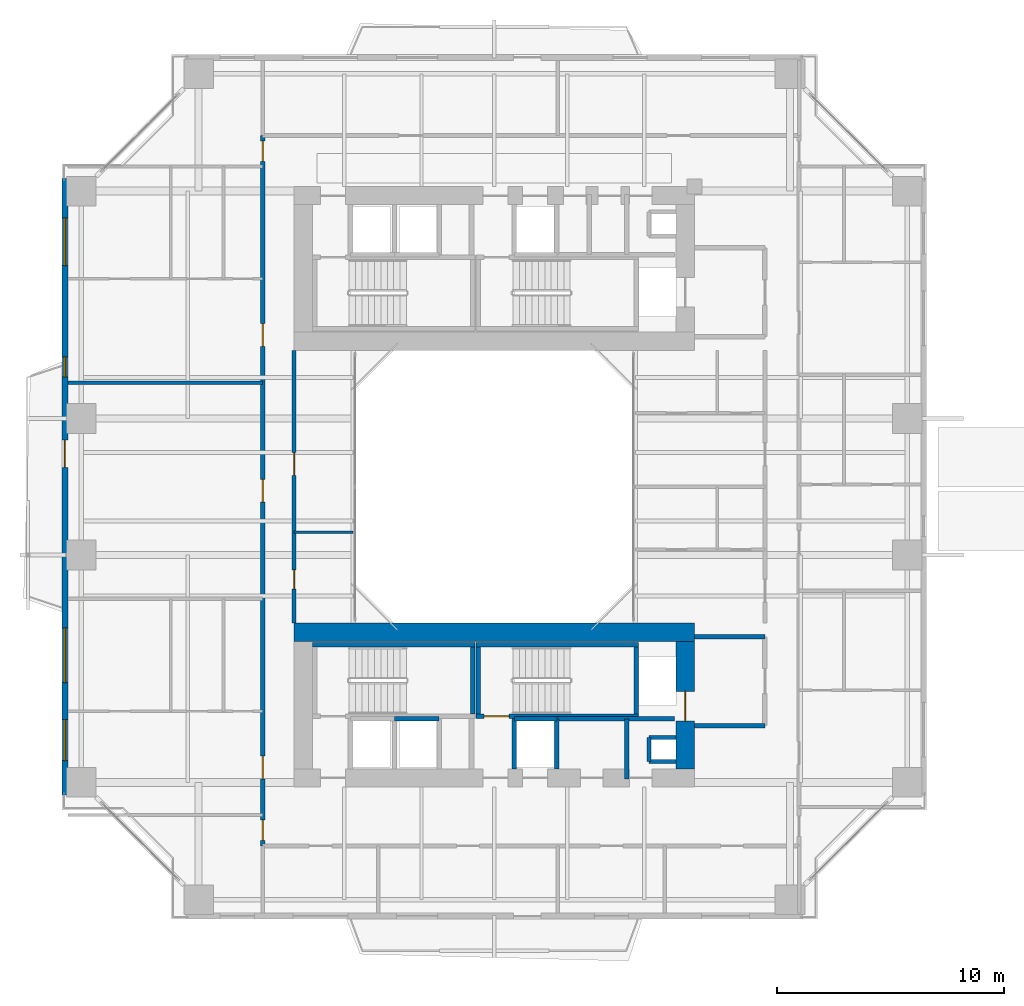
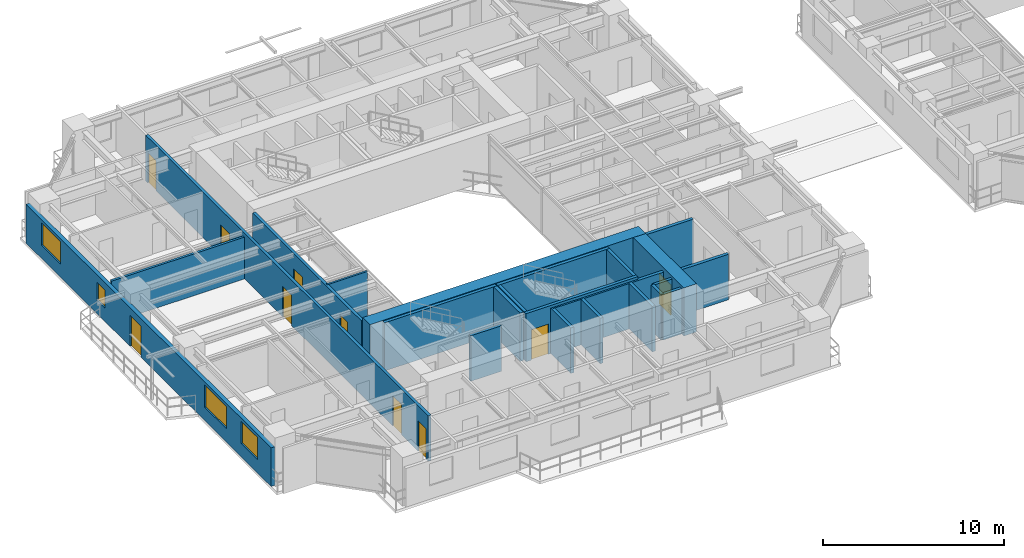
# One storey, part 12 of 23: 24 walls, 10 doors, 4 windows, 14 openings.
"""IFC4 building model written with IfcOpenShell, lengths in metres."""

from ifc_helpers import new_model, si_unit, direction, frame, frame_2d, origin, place, context, subcontext, project, spatial, rectangle, extrude, source, transform, mapped, material, layer, layer_set, type_object, element, fill, save


model = new_model("IFC4")

# Units and contexts
model_context = context("Model", 3, precision=1e-05, world=origin(), true_north=direction((0.0, 1.0)))
body_context = subcontext(model_context, "Body", "Model", "MODEL_VIEW")
ifc_project = project(units=[si_unit("LENGTHUNIT", "METRE"), si_unit("AREAUNIT", "SQUARE_METRE"), si_unit("VOLUMEUNIT", "CUBIC_METRE"), si_unit("PLANEANGLEUNIT", "RADIAN"), si_unit("MASSUNIT", "GRAM", prefix="KILO"), si_unit("THERMODYNAMICTEMPERATUREUNIT", "KELVIN"), si_unit("POWERUNIT", "WATT")], contexts=[model_context])

# Site, building, storey
site_placement = place(None, origin())
site = spatial("IfcSite", under=ifc_project, at=site_placement, CompositionType="ELEMENT")
building_placement = place(site_placement, origin())
building = spatial("IfcBuilding", under=site, at=building_placement, Name="Qiaomeng Ring Towers", CompositionType="ELEMENT")
storey_placement = place(building_placement, frame((0.0, 0.0, 50.25)))
storey = spatial("IfcBuildingStorey", under=building, at=storey_placement, Name="L13", CompositionType="ELEMENT", Elevation=50.25)

# Wall, openings, windows, door
ifc_material_1 = material(Name="Precast concrete C40", Category="concrete")
ifc_layer_1 = layer(ifc_material_1, 0.25, Name="Precast concrete C40")
ifc_layer_set_1 = layer_set([ifc_layer_1], Name="Precast concrete C40")
wall_type_1 = type_object("IfcWallType", Name="ARC-WL-EW1", PredefinedType="STANDARD", material=ifc_layer_set_1)
wall_1_placement = place(storey_placement, frame((0.125, 9.449951171875, 0.0), z_axis=(0.0, 0.0, 1.0), x_axis=(0.0, 1.0, 0.0)))
wall_1 = element("IfcWall", 1, at=wall_1_placement, inside=storey, type_object=wall_type_1, Name="L13 Tower 1 W Exterior Wall", PredefinedType="STANDARD", context=body_context, shape_type="SweptSolid", body=[
    extrude(rectangle(XDim=27.10009765625, YDim=0.25, at=frame_2d((13.550048828125, 0.0))), origin(), (0.0, 0.0, 1.0), 2.610107421875),
])
opening_1_placement = place(wall_1_placement, frame((14.39990234375, 0.0, 0.0)))
opening_1 = element("IfcOpeningElement", 2, at=opening_1_placement, cuts=wall_1, Name="Opening BD1", PredefinedType="OPENING", context=body_context, shape_type="SweptSolid", body=[
    extrude(rectangle(XDim=1.199951171875, YDim=2.10009765625, at=frame_2d((0.60009765625, 1.050048828125))), frame((0.0, 0.135009765625, 0.0), z_axis=(0.0, -1.0, 0.0), x_axis=(1.0, 0.0, 0.0)), (0.0, 0.0, 1.0), 0.27001953125),
])
opening_2_placement = place(wall_1_placement, frame((1.512451171875, 0.0, 0.89990234375)))
opening_2 = element("IfcOpeningElement", 3, at=opening_2_placement, cuts=wall_1, Name="Opening WN1", PredefinedType="OPENING", context=body_context, shape_type="SweptSolid", body=[
    extrude(rectangle(XDim=1.800048828125, YDim=1.5, at=frame_2d((0.89990234375, 0.75))), frame((0.0, 0.135009765625, 0.0), z_axis=(0.0, -1.0, 0.0), x_axis=(1.0, 0.0, 0.0)), (0.0, 0.0, 1.0), 0.27001953125),
])
opening_3_placement = place(wall_1_placement, frame((23.2724609375, 0.0, 0.89990234375)))
opening_3 = element("IfcOpeningElement", 4, at=opening_3_placement, cuts=wall_1, Name="Opening WN4", PredefinedType="OPENING", context=body_context, shape_type="SweptSolid", body=[
    extrude(rectangle(XDim=2.10009765625, YDim=1.5, at=frame_2d((1.050048828125, 0.75))), frame((0.0, 0.135009765625, 0.0), z_axis=(0.0, -1.0, 0.0), x_axis=(1.0, 0.0, 0.0)), (0.0, 0.0, 1.0), 0.27001953125),
])
opening_4_placement = place(wall_1_placement, frame((4.9423828125, 0.0, 0.89990234375)))
opening_4 = element("IfcOpeningElement", 5, at=opening_4_placement, cuts=wall_1, Name="Opening WN6", PredefinedType="OPENING", context=body_context, shape_type="SweptSolid", body=[
    extrude(rectangle(XDim=2.39990234375, YDim=1.5, at=frame_2d((1.199951171875, 0.75))), frame((0.0, 0.135009765625, 0.0), z_axis=(0.0, -1.0, 0.0), x_axis=(1.0, 0.0, 0.0)), (0.0, 0.0, 1.0), 0.27001953125),
])
opening_5_placement = place(wall_1_placement, frame((18.364990234375, 0.0, 0.89990234375)))
opening_5 = element("IfcOpeningElement", 6, at=opening_5_placement, cuts=wall_1, Name="Opening WN5", PredefinedType="OPENING", context=body_context, shape_type="SweptSolid", body=[
    extrude(rectangle(XDim=0.89990234375, YDim=1.199951171875, at=frame_2d((0.449951171875, 0.60009765625))), frame((0.0, 0.135009765625, 0.0), z_axis=(0.0, -1.0, 0.0), x_axis=(1.0, 0.0, 0.0)), (0.0, 0.0, 1.0), 0.27001953125),
])
ifc_material_2 = material(Name="Low-E dark-grey laminated double glazing", Category="glass")
window_type_1 = type_object("IfcWindowType", Name="ARC-WN-4", PartitioningType="TRIPLE_PANEL_VERTICAL", PredefinedType="WINDOW", material=ifc_material_2)
shared_shape_1 = source(origin(), body_context, "Body", "SweptSolid", [
    extrude(rectangle(XDim=2.10009765625, YDim=1.5, at=frame_2d((1.050048828125, 0.75))), frame((0.0, 0.030029296875, 0.0), z_axis=(0.0, -1.0, 0.0), x_axis=(1.0, 0.0, 0.0)), (0.0, 0.0, 1.0), 0.06005859375),
])
window_1_placement = place(opening_3_placement, origin())
window_1 = element("IfcWindow", 7, at=window_1_placement, inside=storey, type_object=window_type_1, Name="L13 Exterior Window WN4", OverallHeight=1.5, OverallWidth=2.10009765625, PartitioningType="TRIPLE_PANEL_VERTICAL", PredefinedType="WINDOW", context=body_context, shape_type="MappedRepresentation", body=[
    mapped(shared_shape_1, transform((0.0, 0.0, 0.0), x_axis=(1.0, 0.0, 0.0), y_axis=(0.0, 1.0, 0.0), z_axis=(0.0, 0.0, 1.0), scale=1.0)),
])
fill(opening_3, window_1)
door_type_1 = type_object("IfcDoorType", Name="ARC-DR-BD1", OperationType="NOTDEFINED", PredefinedType="DOOR", material=ifc_material_2)
shared_shape_2 = source(origin(), body_context, "Body", "SweptSolid", [
    extrude(rectangle(XDim=1.199951171875, YDim=2.10009765625, at=frame_2d((0.60009765625, 1.050048828125))), frame((0.0, 0.02490234375, 0.0), z_axis=(0.0, -1.0, 0.0), x_axis=(1.0, 0.0, 0.0)), (0.0, 0.0, 1.0), 0.050048828125),
])
door_1_placement = place(opening_1_placement, frame((1.199951171875, 0.0, 0.0), z_axis=(0.0, 0.0, 1.0), x_axis=(-1.0, 0.0, 0.0)))
door_1 = element("IfcDoor", 8, at=door_1_placement, inside=storey, type_object=door_type_1, Name="L13 W Balcony Glazed Door", OperationType="SINGLE_SWING_LEFT", OverallHeight=2.10009765625, OverallWidth=1.199951171875, PredefinedType="DOOR", context=body_context, shape_type="MappedRepresentation", body=[
    mapped(shared_shape_2, transform((0.0, 0.0, 0.0), x_axis=(1.0, 0.0, 0.0), y_axis=(0.0, 1.0, 0.0), z_axis=(0.0, 0.0, 1.0), scale=1.0)),
])
fill(opening_1, door_1)
window_type_2 = type_object("IfcWindowType", Name="ARC-WN-6", PartitioningType="TRIPLE_PANEL_VERTICAL", PredefinedType="WINDOW", material=ifc_material_2)
shared_shape_3 = source(origin(), body_context, "Body", "SweptSolid", [
    extrude(rectangle(XDim=2.39990234375, YDim=1.5, at=frame_2d((1.199951171875, 0.75))), frame((0.0, 0.030029296875, 0.0), z_axis=(0.0, -1.0, 0.0), x_axis=(1.0, 0.0, 0.0)), (0.0, 0.0, 1.0), 0.06005859375),
])
window_2_placement = place(opening_4_placement, origin())
window_2 = element("IfcWindow", 9, at=window_2_placement, inside=storey, type_object=window_type_2, Name="L13 Exterior Window WN6", OverallHeight=1.5, OverallWidth=2.39990234375, PartitioningType="TRIPLE_PANEL_VERTICAL", PredefinedType="WINDOW", context=body_context, shape_type="MappedRepresentation", body=[
    mapped(shared_shape_3, transform((0.0, 0.0, 0.0), x_axis=(1.0, 0.0, 0.0), y_axis=(0.0, 1.0, 0.0), z_axis=(0.0, 0.0, 1.0), scale=1.0)),
])
fill(opening_4, window_2)
window_type_3 = type_object("IfcWindowType", Name="ARC-WN-1", PartitioningType="DOUBLE_PANEL_VERTICAL", PredefinedType="WINDOW", material=ifc_material_2)
shared_shape_4 = source(origin(), body_context, "Body", "SweptSolid", [
    extrude(rectangle(XDim=1.800048828125, YDim=1.5, at=frame_2d((0.89990234375, 0.75))), frame((0.0, 0.030029296875, 0.0), z_axis=(0.0, -1.0, 0.0), x_axis=(1.0, 0.0, 0.0)), (0.0, 0.0, 1.0), 0.06005859375),
])
window_3_placement = place(opening_2_placement, origin())
window_3 = element("IfcWindow", 10, at=window_3_placement, inside=storey, type_object=window_type_3, Name="L13 Exterior Window WN6", OverallHeight=1.5, OverallWidth=1.800048828125, PartitioningType="TRIPLE_PANEL_VERTICAL", PredefinedType="WINDOW", context=body_context, shape_type="MappedRepresentation", body=[
    mapped(shared_shape_4, transform((0.0, 0.0, 0.0), x_axis=(1.0, 0.0, 0.0), y_axis=(0.0, 1.0, 0.0), z_axis=(0.0, 0.0, 1.0), scale=1.0)),
])
fill(opening_2, window_3)
window_type_4 = type_object("IfcWindowType", Name="ARC-WN-5", PartitioningType="SINGLE_PANEL", PredefinedType="WINDOW", material=ifc_material_2)
shared_shape_5 = source(origin(), body_context, "Body", "SweptSolid", [
    extrude(rectangle(XDim=0.89990234375, YDim=1.199951171875, at=frame_2d((0.449951171875, 0.60009765625))), frame((0.0, 0.030029296875, 0.0), z_axis=(0.0, -1.0, 0.0), x_axis=(1.0, 0.0, 0.0)), (0.0, 0.0, 1.0), 0.06005859375),
])
window_4_placement = place(opening_5_placement, origin())
window_4 = element("IfcWindow", 11, at=window_4_placement, inside=storey, type_object=window_type_4, Name="L13 Exterior Window WN5", OverallHeight=1.199951171875, OverallWidth=0.89990234375, PartitioningType="SINGLE_PANEL", PredefinedType="WINDOW", context=body_context, shape_type="MappedRepresentation", body=[
    mapped(shared_shape_5, transform((0.0, 0.0, 0.0), x_axis=(1.0, 0.0, 0.0), y_axis=(0.0, 1.0, 0.0), z_axis=(0.0, 0.0, 1.0), scale=1.0)),
])
fill(opening_5, window_4)

# Walls
ifc_material_3 = material(Name="Autoclaved aerated concrete block", Category="concrete")
ifc_layer_2 = layer(ifc_material_3, 0.199951171875, Name="Autoclaved aerated concrete block")
ifc_layer_set_2 = layer_set([ifc_layer_2], Name="Autoclaved aerated concrete block")
wall_type_2 = type_object("IfcWallType", Name="ARC-WL-PW1", PredefinedType="PARTITIONING", material=ifc_layer_set_2)
for number, where, z_axis, x_axis, name in (
    (12, (27.800048828125, 16.39990234375, 0.0), (0.0, 0.0, 1.0), (1.0, 0.0, 0.0), "L13 Interior Wall PW1"),
    (13, (27.800048828125, 12.5, 0.0), (0.0, 0.0, 1.0), (1.0, 0.0, 0.0), "L13 Interior Wall PW1"),
):
    element("IfcWall", number, at=place(storey_placement, frame(where, z_axis=z_axis, x_axis=x_axis)), inside=storey, type_object=wall_type_2, Name=name, PredefinedType="PARTITIONING", context=body_context, shape_type="SweptSolid", body=[
        extrude(rectangle(XDim=3.099853515625, YDim=0.199951171875, at=frame_2d((1.5498046875, 0.0))), origin(), (0.0, 0.0, 1.0), 3.070068359375),
    ])
wall_2_placement = place(storey_placement, frame((19.8798828125, 10.60009765625, 0.0), z_axis=(0.0, 0.0, 1.0), x_axis=(0.0, 1.0, 0.0)))
element("IfcWall", 14, at=wall_2_placement, inside=storey, type_object=wall_type_2, Name="L13 Interior Wall PW1", PredefinedType="PARTITIONING", context=body_context, shape_type="SweptSolid", body=[
    extrude(rectangle(XDim=2.2099609375, YDim=0.199951171875, at=frame_2d((1.10498046875, 0.0))), origin(), (0.0, 0.0, 1.0), 3.070068359375),
])
wall_3_placement = place(storey_placement, frame((24.820068359375, 10.14990234375, 0.0), z_axis=(0.0, 0.0, 1.0), x_axis=(0.0, 1.0, 0.0)))
element("IfcWall", 15, at=wall_3_placement, inside=storey, type_object=wall_type_2, Name="L13 Interior Wall PW1", PredefinedType="PARTITIONING", context=body_context, shape_type="SweptSolid", body=[
    extrude(rectangle(XDim=2.650146484375, YDim=0.199951171875, at=frame_2d((1.3251953125, 0.0))), origin(), (0.0, 0.0, 1.0), 3.070068359375),
])
wall_4_placement = place(storey_placement, frame((21.75, 10.60009765625, 0.0), z_axis=(0.0, 0.0, 1.0), x_axis=(0.0, 1.0, 0.0)))
element("IfcWall", 16, at=wall_4_placement, inside=storey, type_object=wall_type_2, Name="L13 Interior Wall PW1", PredefinedType="PARTITIONING", context=body_context, shape_type="SweptSolid", body=[
    extrude(rectangle(XDim=2.199951171875, YDim=0.199951171875, at=frame_2d((1.10009765625, 0.0))), origin(), (0.0, 0.0, 1.0), 3.070068359375),
])
wall_5_placement = place(storey_placement, frame((21.75, 12.800048828125, 0.0), z_axis=(0.0, 0.0, 1.0), x_axis=(1.0, 0.0, 0.0)))
element("IfcWall", 17, at=wall_5_placement, inside=storey, type_object=wall_type_2, Name="L13 Interior Wall PW1", PredefinedType="PARTITIONING", context=body_context, shape_type="SweptSolid", body=[
    extrude(rectangle(XDim=5.169921875, YDim=0.199951171875, at=frame_2d((2.5849609375, 0.0))), origin(), (0.0, 0.0, 1.0), 3.070068359375),
])

# Wall, openings, doors
ifc_layer_3 = layer(ifc_material_3, 0.179931640625, Name="Autoclaved aerated concrete block")
ifc_layer_set_3 = layer_set([ifc_layer_3], Name="Autoclaved aerated concrete block")
wall_type_3 = type_object("IfcWallType", Name="ARC-WL-PW2", PredefinedType="PARTITIONING", material=ifc_layer_set_3)
wall_6_placement = place(storey_placement, frame((8.820068359375, 7.2099609375, 0.0), z_axis=(0.0, 0.0, 1.0), x_axis=(0.0, 1.0, 0.0)))
wall_6 = element("IfcWall", 18, at=wall_6_placement, inside=storey, type_object=wall_type_3, Name="L13 Interior Wall PW2", PredefinedType="PARTITIONING", context=body_context, shape_type="SweptSolid", body=[
    extrude(rectangle(XDim=31.22998046875, YDim=0.179931640625, at=frame_2d((15.614990234375, 0.0))), origin(), (0.0, 0.0, 1.0), 3.070068359375),
])
opening_6_placement = place(wall_6_placement, frame((30.090087890625, 0.0, 0.0)))
opening_6 = element("IfcOpeningElement", 19, at=opening_6_placement, cuts=wall_6, Name="Opening ID1", PredefinedType="OPENING", context=body_context, shape_type="SweptSolid", body=[
    extrude(rectangle(XDim=0.89990234375, YDim=2.050048828125, at=frame_2d((0.449951171875, 1.02490234375))), frame((0.0, 0.099853515625, 0.0), z_axis=(0.0, -1.0, 0.0), x_axis=(1.0, 0.0, 0.0)), (0.0, 0.0, 1.0), 0.199951171875),
])
opening_7_placement = place(wall_6_placement, frame((0.239990234375, 0.0, 0.0)))
opening_7 = element("IfcOpeningElement", 20, at=opening_7_placement, cuts=wall_6, Name="Opening ID1", PredefinedType="OPENING", context=body_context, shape_type="SweptSolid", body=[
    extrude(rectangle(XDim=0.89990234375, YDim=2.050048828125, at=frame_2d((0.449951171875, 1.02490234375))), frame((0.0, 0.099853515625, 0.0), z_axis=(0.0, -1.0, 0.0), x_axis=(1.0, 0.0, 0.0)), (0.0, 0.0, 1.0), 0.199951171875),
])
opening_8_placement = place(wall_6_placement, frame((2.949951171875, 0.0, 0.0)))
opening_8 = element("IfcOpeningElement", 21, at=opening_8_placement, cuts=wall_6, Name="Opening FD4", PredefinedType="OPENING", context=body_context, shape_type="SweptSolid", body=[
    extrude(rectangle(XDim=1.0, YDim=2.050048828125, at=frame_2d((0.5, 1.02490234375))), frame((0.0, 0.099853515625, 0.0), z_axis=(0.0, -1.0, 0.0), x_axis=(1.0, 0.0, 0.0)), (0.0, 0.0, 1.0), 0.199951171875),
])
opening_9_placement = place(wall_6_placement, frame((15.114990234375, 0.0, 0.0)))
opening_9 = element("IfcOpeningElement", 22, at=opening_9_placement, cuts=wall_6, Name="Opening FD4", PredefinedType="OPENING", context=body_context, shape_type="SweptSolid", body=[
    extrude(rectangle(XDim=1.0, YDim=2.050048828125, at=frame_2d((0.5, 1.02490234375))), frame((0.0, 0.099853515625, 0.0), z_axis=(0.0, -1.0, 0.0), x_axis=(1.0, 0.0, 0.0)), (0.0, 0.0, 1.0), 0.199951171875),
])
opening_10_placement = place(wall_6_placement, frame((21.9599609375, 0.0, 0.0)))
opening_10 = element("IfcOpeningElement", 23, at=opening_10_placement, cuts=wall_6, Name="Opening FD4", PredefinedType="OPENING", context=body_context, shape_type="SweptSolid", body=[
    extrude(rectangle(XDim=1.0, YDim=2.050048828125, at=frame_2d((0.5, 1.02490234375))), frame((0.0, 0.099853515625, 0.0), z_axis=(0.0, -1.0, 0.0), x_axis=(1.0, 0.0, 0.0)), (0.0, 0.0, 1.0), 0.199951171875),
])
ifc_material_4 = material(Name="Engineered fire-rated oak timber", Category="wood")
door_type_2 = type_object("IfcDoorType", Name="ARC-DR-FD4", OperationType="NOTDEFINED", PredefinedType="DOOR", material=ifc_material_4)
shared_shape_6 = source(origin(), body_context, "Body", "SweptSolid", [
    extrude(rectangle(XDim=1.0, YDim=2.050048828125, at=frame_2d((0.5, 1.02490234375))), frame((0.0, 0.02490234375, 0.0), z_axis=(0.0, -1.0, 0.0), x_axis=(1.0, 0.0, 0.0)), (0.0, 0.0, 1.0), 0.050048828125),
])
door_2_placement = place(opening_8_placement, origin())
door_2 = element("IfcDoor", 24, at=door_2_placement, inside=storey, type_object=door_type_2, Name="L13 Door FD4", OperationType="SINGLE_SWING_RIGHT", OverallHeight=2.050048828125, OverallWidth=1.0, PredefinedType="DOOR", context=body_context, shape_type="MappedRepresentation", body=[
    mapped(shared_shape_6, transform((0.0, 0.0, 0.0), x_axis=(1.0, 0.0, 0.0), y_axis=(0.0, 1.0, 0.0), z_axis=(0.0, 0.0, 1.0), scale=1.0)),
])
fill(opening_8, door_2)
door_3_placement = place(opening_9_placement, origin())
door_3 = element("IfcDoor", 25, at=door_3_placement, inside=storey, type_object=door_type_2, Name="L13 Door FD4", OperationType="SINGLE_SWING_LEFT", OverallHeight=2.050048828125, OverallWidth=1.0, PredefinedType="DOOR", context=body_context, shape_type="MappedRepresentation", body=[
    mapped(shared_shape_6, transform((0.0, 0.0, 0.0), x_axis=(1.0, 0.0, 0.0), y_axis=(0.0, 1.0, 0.0), z_axis=(0.0, 0.0, 1.0), scale=1.0)),
])
fill(opening_9, door_3)
door_4_placement = place(opening_10_placement, origin())
door_4 = element("IfcDoor", 26, at=door_4_placement, inside=storey, type_object=door_type_2, Name="L13 Door FD4", OperationType="SINGLE_SWING_LEFT", OverallHeight=2.050048828125, OverallWidth=1.0, PredefinedType="DOOR", context=body_context, shape_type="MappedRepresentation", body=[
    mapped(shared_shape_6, transform((0.0, 0.0, 0.0), x_axis=(1.0, 0.0, 0.0), y_axis=(0.0, 1.0, 0.0), z_axis=(0.0, 0.0, 1.0), scale=1.0)),
])
fill(opening_10, door_4)
ifc_material_5 = material(Name="Engineered oak timber", Category="wood")
door_type_3 = type_object("IfcDoorType", Name="ARC-DR-ID1", OperationType="NOTDEFINED", PredefinedType="DOOR", material=ifc_material_5)
shared_shape_7 = source(origin(), body_context, "Body", "SweptSolid", [
    extrude(rectangle(XDim=0.89990234375, YDim=2.050048828125, at=frame_2d((0.449951171875, 1.02490234375))), frame((0.0, 0.02490234375, 0.0), z_axis=(0.0, -1.0, 0.0), x_axis=(1.0, 0.0, 0.0)), (0.0, 0.0, 1.0), 0.050048828125),
])
door_5_placement = place(opening_6_placement, origin())
door_5 = element("IfcDoor", 27, at=door_5_placement, inside=storey, type_object=door_type_3, Name="L13 Door ID1", OperationType="SINGLE_SWING_LEFT", OverallHeight=2.050048828125, OverallWidth=0.89990234375, PredefinedType="DOOR", context=body_context, shape_type="MappedRepresentation", body=[
    mapped(shared_shape_7, transform((0.0, 0.0, 0.0), x_axis=(1.0, 0.0, 0.0), y_axis=(0.0, 1.0, 0.0), z_axis=(0.0, 0.0, 1.0), scale=1.0)),
])
fill(opening_6, door_5)
door_6_placement = place(opening_7_placement, origin())
door_6 = element("IfcDoor", 28, at=door_6_placement, inside=storey, type_object=door_type_3, Name="L13 Door ID1", OperationType="SINGLE_SWING_RIGHT", OverallHeight=2.050048828125, OverallWidth=0.89990234375, PredefinedType="DOOR", context=body_context, shape_type="MappedRepresentation", body=[
    mapped(shared_shape_7, transform((0.0, 0.0, 0.0), x_axis=(1.0, 0.0, 0.0), y_axis=(0.0, 1.0, 0.0), z_axis=(0.0, 0.0, 1.0), scale=1.0)),
])
fill(opening_7, door_6)

wall_7_placement = place(storey_placement, frame((10.199951171875, 17.0, 0.0), z_axis=(0.0, 0.0, 1.0), x_axis=(0.0, 1.0, 0.0)))
wall_7 = element("IfcWall", 29, at=wall_7_placement, inside=storey, type_object=wall_type_3, Name="L13 Interior Wall PW2", PredefinedType="PARTITIONING", context=body_context, shape_type="SweptSolid", body=[
    extrude(rectangle(XDim=12.0, YDim=0.179931640625, at=frame_2d((6.0, 0.0))), origin(), (0.0, 0.0, 1.0), 3.070068359375),
])
opening_11_placement = place(wall_7_placement, frame((1.5, 0.0, 0.0)))
opening_11 = element("IfcOpeningElement", 30, at=opening_11_placement, cuts=wall_7, Name="Opening ID2", PredefinedType="OPENING", context=body_context, shape_type="SweptSolid", body=[
    extrude(rectangle(XDim=0.85009765625, YDim=2.050048828125, at=frame_2d((0.425048828125, 1.02490234375))), frame((0.0, 0.099853515625, 0.0), z_axis=(0.0, -1.0, 0.0), x_axis=(1.0, 0.0, 0.0)), (0.0, 0.0, 1.0), 0.199951171875),
])
opening_12_placement = place(wall_7_placement, frame((6.5, 0.0, 0.0)))
opening_12 = element("IfcOpeningElement", 31, at=opening_12_placement, cuts=wall_7, Name="Opening FD4", PredefinedType="OPENING", context=body_context, shape_type="SweptSolid", body=[
    extrude(rectangle(XDim=1.0, YDim=2.050048828125, at=frame_2d((0.5, 1.02490234375))), frame((0.0, 0.099853515625, 0.0), z_axis=(0.0, -1.0, 0.0), x_axis=(1.0, 0.0, 0.0)), (0.0, 0.0, 1.0), 0.199951171875),
])
door_7_placement = place(opening_12_placement, origin())
door_7 = element("IfcDoor", 32, at=door_7_placement, inside=storey, type_object=door_type_2, Name="L13 Door FD4", OperationType="SINGLE_SWING_LEFT", OverallHeight=2.050048828125, OverallWidth=1.0, PredefinedType="DOOR", context=body_context, shape_type="MappedRepresentation", body=[
    mapped(shared_shape_6, transform((0.0, 0.0, 0.0), x_axis=(1.0, 0.0, 0.0), y_axis=(0.0, 1.0, 0.0), z_axis=(0.0, 0.0, 1.0), scale=1.0)),
])
fill(opening_12, door_7)
ifc_material_6 = material(Name="Moisture-resistant engineered timber", Category="wood")
door_type_4 = type_object("IfcDoorType", Name="ARC-DR-ID2", OperationType="NOTDEFINED", PredefinedType="DOOR", material=ifc_material_6)
shared_shape_8 = source(origin(), body_context, "Body", "SweptSolid", [
    extrude(rectangle(XDim=0.85009765625, YDim=2.050048828125, at=frame_2d((0.425048828125, 1.02490234375))), frame((0.0, 0.02490234375, 0.0), z_axis=(0.0, -1.0, 0.0), x_axis=(1.0, 0.0, 0.0)), (0.0, 0.0, 1.0), 0.050048828125),
])
door_8_placement = place(opening_11_placement, origin())
door_8 = element("IfcDoor", 33, at=door_8_placement, inside=storey, type_object=door_type_4, Name="L13 Door ID2", OperationType="SINGLE_SWING_RIGHT", OverallHeight=2.050048828125, OverallWidth=0.85009765625, PredefinedType="DOOR", context=body_context, shape_type="MappedRepresentation", body=[
    mapped(shared_shape_8, transform((0.0, 0.0, 0.0), x_axis=(1.0, 0.0, 0.0), y_axis=(0.0, 1.0, 0.0), z_axis=(0.0, 0.0, 1.0), scale=1.0)),
])
fill(opening_11, door_8)

# Walls
ifc_material_7 = material(Name="Gypsum fireboard steel-stud partition", Category="steel")
ifc_layer_4 = layer(ifc_material_7, 0.14990234375, Name="Gypsum fireboard steel-stud partition")
ifc_layer_set_4 = layer_set([ifc_layer_4], Name="Gypsum fireboard steel-stud partition")
wall_type_4 = type_object("IfcWallType", Name="ARC-WL-PW3", PredefinedType="PARTITIONING", material=ifc_layer_set_4)
wall_8_placement = place(storey_placement, frame((0.25, 27.580078125, 0.0), z_axis=(0.0, 0.0, 1.0), x_axis=(1.0, 0.0, 0.0)))
element("IfcWall", 34, at=wall_8_placement, inside=storey, type_object=wall_type_4, Name="L13 Interior Wall PW3", PredefinedType="PARTITIONING", context=body_context, shape_type="SweptSolid", body=[
    extrude(rectangle(XDim=8.570068359375, YDim=0.14990234375, at=frame_2d((4.28515625, 0.0))), origin(), (0.0, 0.0, 1.0), 2.821044921875),
])
ifc_material_8 = material(Name="Moisture-resistant gypsum steel-stud partition", Category="steel")
ifc_layer_5 = layer(ifc_material_8, 0.1201171875, Name="Moisture-resistant gypsum steel-stud partition")
ifc_layer_set_5 = layer_set([ifc_layer_5], Name="Moisture-resistant gypsum steel-stud partition")
wall_type_5 = type_object("IfcWallType", Name="ARC-WL-PW4", PredefinedType="PLUMBINGWALL", material=ifc_layer_set_5)
wall_9_placement = place(storey_placement, frame((10.199951171875, 21.0, 0.0), z_axis=(0.0, 0.0, 1.0), x_axis=(1.0, 0.0, 0.0)))
element("IfcWall", 35, at=wall_9_placement, inside=storey, type_object=wall_type_5, Name="L13 Interior Wall PW4", PredefinedType="PLUMBINGWALL", context=body_context, shape_type="SweptSolid", body=[
    extrude(rectangle(XDim=2.580078125, YDim=0.1201171875, at=frame_2d((1.2900390625, 0.0))), origin(), (0.0, 0.0, 1.0), 3.070068359375),
])
ifc_material_9 = material(Name="Concrete C40", Category="concrete")
ifc_layer_6 = layer(ifc_material_9, 0.199951171875, Name="Concrete C40")
ifc_layer_set_6 = layer_set([ifc_layer_6], Name="Concrete C40")
wall_type_6 = type_object("IfcWallType", Name="STR-WL-STSHAFT", PredefinedType="SHEAR", material=ifc_layer_set_6)
wall_10_placement = place(storey_placement, frame((25.800048828125, 10.919921875, 0.0), z_axis=(0.0, 0.0, 1.0), x_axis=(0.0, 1.0, 0.0)))
element("IfcWall", 36, at=wall_10_placement, inside=storey, type_object=wall_type_6, Name="L13 Riser RSR1 West Shaft Wall S", PredefinedType="SHEAR", context=body_context, shape_type="SweptSolid", body=[
    extrude(rectangle(XDim=1.06005859375, YDim=0.179931640625, at=frame_2d((0.530029296875, 0.0))), origin(), (0.0, 0.0, 1.0), 3.070068359375),
])
for number, where, z_axis, x_axis, name in (
    (37, (25.800048828125, 11.97998046875, 0.0), (0.0, 0.0, 1.0), (1.0, 0.0, 0.0), "L13 Riser RSR1 North Shaft Wall S"),
    (38, (25.800048828125, 10.919921875, 0.0), (0.0, 0.0, 1.0), (1.0, 0.0, 0.0), "L13 Riser RSR1 South Shaft Wall S"),
):
    element("IfcWall", number, at=place(storey_placement, frame(where, z_axis=z_axis, x_axis=x_axis)), inside=storey, type_object=wall_type_6, Name=name, PredefinedType="SHEAR", context=body_context, shape_type="SweptSolid", body=[
        extrude(rectangle(XDim=1.199951171875, YDim=0.179931640625, at=frame_2d((0.60009765625, 0.0))), origin(), (0.0, 0.0, 1.0), 3.070068359375),
    ])
wall_11_placement = place(storey_placement, frame((14.6201171875, 12.800048828125, 0.0), z_axis=(0.0, 0.0, 1.0), x_axis=(1.0, 0.0, 0.0)))
element("IfcWall", 39, at=wall_11_placement, inside=storey, type_object=wall_type_6, Name="L13 Lift LP4 Shaft Back Wall", PredefinedType="SHEAR", context=body_context, shape_type="SweptSolid", body=[
    extrude(rectangle(XDim=1.9599609375, YDim=0.179931640625, at=frame_2d((0.97998046875, 0.0))), origin(), (0.0, 0.0, 1.0), 3.070068359375),
])
wall_12_placement = place(storey_placement, frame((19.8798828125, 12.800048828125, 0.0), z_axis=(0.0, 0.0, 1.0), x_axis=(1.0, 0.0, 0.0)))
element("IfcWall", 40, at=wall_12_placement, inside=storey, type_object=wall_type_6, Name="L13 Lift LP2 Shaft Back Wall", PredefinedType="SHEAR", context=body_context, shape_type="SweptSolid", body=[
    extrude(rectangle(XDim=1.8701171875, YDim=0.179931640625, at=frame_2d((0.93505859375, 0.0))), origin(), (0.0, 0.0, 1.0), 3.070068359375),
])
wall_13_placement = place(storey_placement, frame((11.0, 16.050048828125, 0.0), z_axis=(0.0, 0.0, 1.0), x_axis=(1.0, 0.0, 0.0)))
element("IfcWall", 41, at=wall_13_placement, inside=storey, type_object=wall_type_6, Name="L13 Stair ST3 North Shaft Shear Wall", PredefinedType="SHEAR", context=body_context, shape_type="SweptSolid", body=[
    extrude(rectangle(XDim=7.14990234375, YDim=0.199951171875, at=frame_2d((3.574951171875, 0.0))), origin(), (0.0, 0.0, 1.0), 3.25),
])
wall_14_placement = place(storey_placement, frame((18.050048828125, 13.010009765625, 0.0), z_axis=(0.0, 0.0, 1.0), x_axis=(0.0, 1.0, 0.0)))
element("IfcWall", 42, at=wall_14_placement, inside=storey, type_object=wall_type_6, Name="L13 Stair ST3 East Shaft Shear Wall", PredefinedType="SHEAR", context=body_context, shape_type="SweptSolid", body=[
    extrude(rectangle(XDim=2.93994140625, YDim=0.199951171875, at=frame_2d((1.469970703125, 0.0))), origin(), (0.0, 0.0, 1.0), 3.25),
])

# Wall, opening, door
wall_15_placement = place(storey_placement, frame((18.199951171875, 12.909912109375, 0.0), z_axis=(0.0, 0.0, 1.0), x_axis=(1.0, 0.0, 0.0)))
wall_15 = element("IfcWall", 43, at=wall_15_placement, inside=storey, type_object=wall_type_6, Name="L13 Stair ST4 South Shaft Shear Wall", PredefinedType="SHEAR", context=body_context, shape_type="SweptSolid", body=[
    extrude(rectangle(XDim=7.150146484375, YDim=0.199951171875, at=frame_2d((3.5751953125, 0.0))), origin(), (0.0, 0.0, 1.0), 3.25),
])
opening_13_placement = place(wall_15_placement, frame((0.35009765625, 0.0, 0.0)))
opening_13 = element("IfcOpeningElement", 44, at=opening_13_placement, cuts=wall_15, Name="Opening FD3", PredefinedType="OPENING", context=body_context, shape_type="SweptSolid", body=[
    extrude(rectangle(XDim=1.10009765625, YDim=2.050048828125, at=frame_2d((0.550048828125, 1.02490234375))), frame((0.0, 0.10986328125, 0.0), z_axis=(0.0, -1.0, 0.0), x_axis=(1.0, 0.0, 0.0)), (0.0, 0.0, 1.0), 0.219970703125),
])
ifc_material_10 = material(Name="Galvanised steel", Category="steel")
door_type_5 = type_object("IfcDoorType", Name="ARC-DR-FD3", OperationType="NOTDEFINED", PredefinedType="DOOR", material=ifc_material_10)
shared_shape_9 = source(origin(), body_context, "Body", "SweptSolid", [
    extrude(rectangle(XDim=1.10009765625, YDim=2.050048828125, at=frame_2d((0.550048828125, 1.02490234375))), frame((0.0, 0.02490234375, 0.0), z_axis=(0.0, -1.0, 0.0), x_axis=(1.0, 0.0, 0.0)), (0.0, 0.0, 1.0), 0.050048828125),
])
door_9_placement = place(opening_13_placement, frame((1.10009765625, 0.0, 0.0), z_axis=(0.0, 0.0, 1.0), x_axis=(-1.0, 0.0, 0.0)))
door_9 = element("IfcDoor", 45, at=door_9_placement, inside=storey, type_object=door_type_5, Name="L13 Stair ST4 Exit Door", OperationType="SINGLE_SWING_LEFT", OverallHeight=2.050048828125, OverallWidth=1.10009765625, PredefinedType="DOOR", context=body_context, shape_type="MappedRepresentation", body=[
    mapped(shared_shape_9, transform((0.0, 0.0, 0.0), x_axis=(1.0, 0.0, 0.0), y_axis=(0.0, 1.0, 0.0), z_axis=(0.0, 0.0, 1.0), scale=1.0)),
])
fill(opening_13, door_9)

# Walls
wall_16_placement = place(storey_placement, frame((18.199951171875, 16.050048828125, 0.0), z_axis=(0.0, 0.0, 1.0), x_axis=(1.0, 0.0, 0.0)))
element("IfcWall", 46, at=wall_16_placement, inside=storey, type_object=wall_type_6, Name="L13 Stair ST4 North Shaft Shear Wall", PredefinedType="SHEAR", context=body_context, shape_type="SweptSolid", body=[
    extrude(rectangle(XDim=7.150146484375, YDim=0.199951171875, at=frame_2d((3.5751953125, 0.0))), origin(), (0.0, 0.0, 1.0), 3.25),
])
for number, where, z_axis, x_axis, name in (
    (47, (18.300048828125, 13.010009765625, 0.0), (0.0, 0.0, 1.0), (0.0, 1.0, 0.0), "L13 Stair ST4 West Shaft Shear Wall"),
    (48, (25.25, 13.010009765625, 0.0), (0.0, 0.0, 1.0), (0.0, 1.0, 0.0), "L13 Stair ST4 East Shaft Shear Wall"),
):
    element("IfcWall", number, at=place(storey_placement, frame(where, z_axis=z_axis, x_axis=x_axis)), inside=storey, type_object=wall_type_6, Name=name, PredefinedType="SHEAR", context=body_context, shape_type="SweptSolid", body=[
        extrude(rectangle(XDim=2.93994140625, YDim=0.199951171875, at=frame_2d((1.469970703125, 0.0))), origin(), (0.0, 0.0, 1.0), 3.25),
    ])
ifc_material_11 = material(Name="Concrete C60", Category="concrete")
ifc_layer_7 = layer(ifc_material_11, 0.800048828125, Name="Concrete C60")
ifc_layer_set_7 = layer_set([ifc_layer_7], Name="Concrete C60")
wall_type_7 = type_object("IfcWallType", Name="STR-WL-SW1", PredefinedType="SHEAR", material=ifc_layer_set_7)
wall_17_placement = place(storey_placement, frame((10.199951171875, 16.60009765625, 0.0), z_axis=(0.0, 0.0, 1.0), x_axis=(1.0, 0.0, 0.0)))
element("IfcWall", 49, at=wall_17_placement, inside=storey, type_object=wall_type_7, Name="L13 T1SC north core shear wall", PredefinedType="SHEAR", context=body_context, shape_type="SweptSolid", body=[
    extrude(rectangle(XDim=17.60009765625, YDim=0.800048828125, at=frame_2d((8.800048828125, 0.0))), origin(), (0.0, 0.0, 1.0), 3.25),
])

# Wall, opening, door
wall_18_placement = place(storey_placement, frame((27.39990234375, 10.60009765625, 0.0), z_axis=(0.0, 0.0, 1.0), x_axis=(0.0, 1.0, 0.0)))
wall_18 = element("IfcWall", 50, at=wall_18_placement, inside=storey, type_object=wall_type_7, Name="L13 T1SC east core shear wall", PredefinedType="SHEAR", context=body_context, shape_type="SweptSolid", body=[
    extrude(rectangle(XDim=5.599853515625, YDim=0.800048828125, at=frame_2d((2.7998046875, 0.0))), origin(), (0.0, 0.0, 1.0), 3.25),
])
opening_14_placement = place(wall_18_placement, frame((2.10009765625, 0.0, 0.0)))
opening_14 = element("IfcOpeningElement", 51, at=opening_14_placement, cuts=wall_18, Name="Opening LD2", PredefinedType="OPENING", context=body_context, shape_type="SweptSolid", body=[
    extrude(rectangle(XDim=1.300048828125, YDim=2.050048828125, at=frame_2d((0.64990234375, 1.02490234375))), frame((0.0, 0.409912109375, 0.0), z_axis=(0.0, -1.0, 0.0), x_axis=(1.0, 0.0, 0.0)), (0.0, 0.0, 1.0), 0.820068359375),
])
ifc_material_12 = material(Name="Stainless steel 316", Category="steel")
door_type_6 = type_object("IfcDoorType", Name="ARC-DR-LD2", OperationType="NOTDEFINED", PredefinedType="DOOR", material=ifc_material_12)
shared_shape_10 = source(origin(), body_context, "Body", "SweptSolid", [
    extrude(rectangle(XDim=1.300048828125, YDim=2.050048828125, at=frame_2d((0.64990234375, 1.02490234375))), frame((0.0, 0.02490234375, 0.0), z_axis=(0.0, -1.0, 0.0), x_axis=(1.0, 0.0, 0.0)), (0.0, 0.0, 1.0), 0.050048828125),
])
door_10_placement = place(opening_14_placement, origin())
door_10 = element("IfcDoor", 52, at=door_10_placement, inside=storey, type_object=door_type_6, Name="L13 Firefighting Lift FL2 Landing Door", OperationType="SLIDING_TO_RIGHT", OverallHeight=2.050048828125, OverallWidth=1.300048828125, PredefinedType="DOOR", context=body_context, shape_type="MappedRepresentation", body=[
    mapped(shared_shape_10, transform((0.0, 0.0, 0.0), x_axis=(1.0, 0.0, 0.0), y_axis=(0.0, 1.0, 0.0), z_axis=(0.0, 0.0, 1.0), scale=1.0)),
])
fill(opening_14, door_10)

save(model, "model.ifc")
